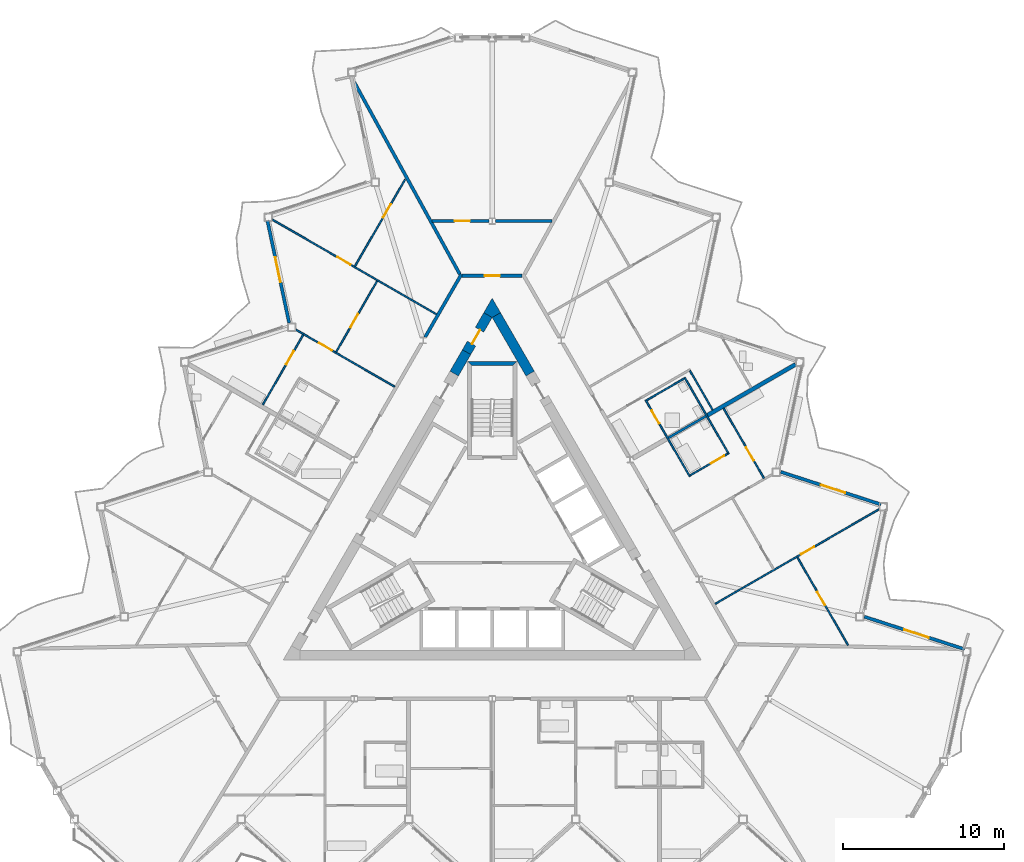
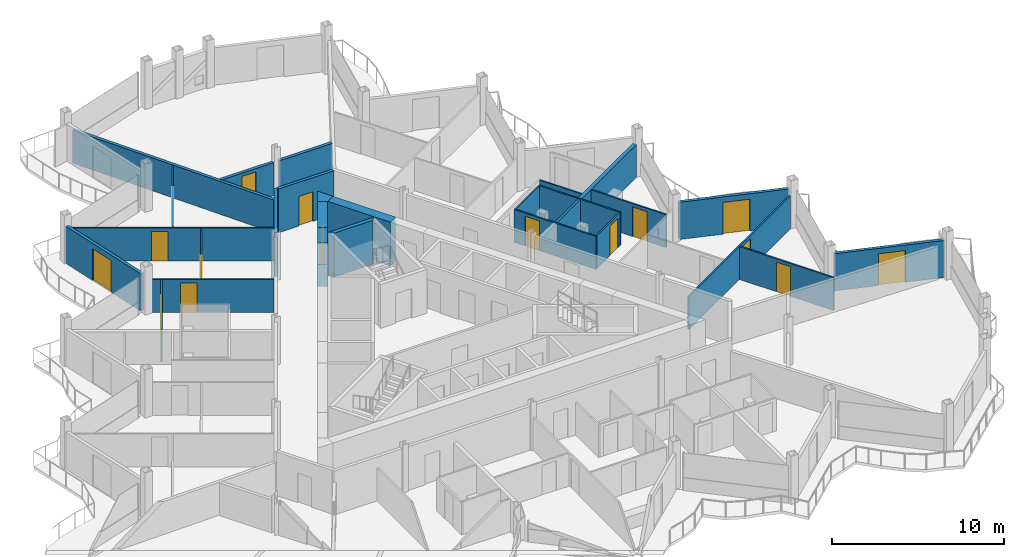
# One storey, part 16 of 25: 28 walls, 16 doors, 16 openings.
"""IFC4 building model written with IfcOpenShell, lengths in metres."""

from ifc_helpers import new_model, si_unit, direction, frame, frame_2d, origin, place, context, subcontext, project, spatial, polyline, rectangle, outline, extrude, material, layer, layer_set, type_object, element, fill, save


model = new_model("IFC4")

# Units and contexts
model_context = context("Model", 3, precision=1e-05, world=origin(), true_north=direction((0.0, 1.0)))
body_context = subcontext(model_context, "Body", "Model", "MODEL_VIEW")
ifc_project = project(units=[si_unit("LENGTHUNIT", "METRE"), si_unit("AREAUNIT", "SQUARE_METRE"), si_unit("VOLUMEUNIT", "CUBIC_METRE"), si_unit("PLANEANGLEUNIT", "RADIAN"), si_unit("MASSUNIT", "GRAM", prefix="KILO")], contexts=[model_context])

# Site, building, storey
site_placement = place(None, origin())
site = spatial("IfcSite", under=ifc_project, at=site_placement, CompositionType="ELEMENT")
building_placement = place(site_placement, origin())
building = spatial("IfcBuilding", under=site, at=building_placement, Name="Cormorant Prow Tower", CompositionType="ELEMENT")
storey_placement = place(building_placement, frame((0.0, 0.0, 395.0)))
storey = spatial("IfcBuildingStorey", under=building, at=storey_placement, Name="L90", CompositionType="ELEMENT", Elevation=395.0)

# Walls
ifc_material_1 = material(Name="Concrete 8000 psi", Category="concrete")
ifc_layer_1 = layer(ifc_material_1, 0.60009765625)
ifc_layer_set_1 = layer_set([ifc_layer_1], Name="Concrete 8000 psi")
wall_type_1 = type_object("IfcWallType", Name="Core shear wall 600", PredefinedType="SHEAR", material=ifc_layer_set_1)
wall_1_placement = place(storey_placement, frame((2.36083984375, 10.322021484375, 0.0), z_axis=(0.0, 0.0, 1.0), x_axis=(-0.500000735859, 0.866024978935, 0.0)))
element("IfcWall", 1, at=wall_1_placement, inside=storey, type_object=wall_type_1, Name="Core wall", PredefinedType="SHEAR", context=body_context, shape_type="SweptSolid", body=[
    extrude(rectangle(XDim=4.2021484375, YDim=0.60009765625, at=frame_2d((2.10107421875, 0.0))), origin(), (0.0, 0.0, 1.0), 3.10009765625),
])
wall_2_placement = place(storey_placement, frame((-1.589599609375, 11.65771484375, 0.0), z_axis=(0.0, 0.0, 1.0), x_axis=(-0.500037594623, -0.866003697431, 0.0)))
element("IfcWall", 2, at=wall_2_placement, inside=storey, type_object=wall_type_1, Name="Core wall", PredefinedType="SHEAR", context=body_context, shape_type="SweptSolid", body=[
    extrude(rectangle(XDim=1.54248046875, YDim=0.60009765625, at=frame_2d((0.771240234375, 0.0))), origin(), (0.0, 0.0, 1.0), 3.10009765625),
])
wall_3_placement = place(storey_placement, origin())
element("IfcWall", 3, at=wall_3_placement, inside=storey, type_object=wall_type_1, Name="Core wall corner", PredefinedType="SHEAR", context=body_context, shape_type="SweptSolid", body=[
    extrude(outline(polyline([(0.0, 13.81103515625), (-0.51953125, 14.111083984375), (0.0, 15.010986328125), (0.51953125, 14.111083984375), (0.0, 13.81103515625)])), origin(), (0.0, 0.0, 1.0), 3.10009765625),
])

# Wall, opening, door
wall_4_placement = place(storey_placement, frame((-0.259765625, 13.961181640625, 0.0), z_axis=(0.0, 0.0, 1.0), x_axis=(-0.49997936161, -0.866037319036, 0.0)))
wall_4 = element("IfcWall", 4, at=wall_4_placement, inside=storey, type_object=wall_type_1, Name="Core wall door panel", PredefinedType="SHEAR", context=body_context, shape_type="SweptSolid", body=[
    extrude(rectangle(XDim=2.65966796875, YDim=0.60009765625, at=frame_2d((1.329833984375, 0.0))), origin(), (0.0, 0.0, 1.0), 3.10009765625),
])
opening_1_placement = place(wall_4_placement, frame((1.050048828125, 0.0, 0.0)))
opening_1 = element("IfcOpeningElement", 5, at=opening_1_placement, cuts=wall_4, Name="Opening L90-C19", PredefinedType="OPENING", context=body_context, shape_type="SweptSolid", body=[
    extrude(rectangle(XDim=1.0, YDim=2.10009765625, at=frame_2d((0.5, 1.050048828125))), frame((0.0, 0.31005859375, 0.0), z_axis=(0.0, -1.0, 0.0), x_axis=(1.0, 0.0, 0.0)), (0.0, 0.0, 1.0), 0.6201171875),
])
ifc_material_2 = material(Name="Painted steel", Category="steel")
door_type_1 = type_object("IfcDoorType", Name="Service door 1000x2100", OperationType="NOTDEFINED", PredefinedType="DOOR", material=ifc_material_2)
door_1_placement = place(opening_1_placement, origin())
door_1 = element("IfcDoor", 6, at=door_1_placement, inside=storey, type_object=door_type_1, Name="Core door, Mechanical riser room", OperationType="SINGLE_SWING_RIGHT", OverallHeight=2.10009765625, OverallWidth=1.0, PredefinedType="DOOR", context=body_context, shape_type="SweptSolid", body=[
    extrude(rectangle(XDim=1.0, YDim=2.10009765625, at=frame_2d((0.5, 1.050048828125))), frame((0.0, 0.05517578125, 0.0), z_axis=(0.0, -1.0, 0.0), x_axis=(1.0, 0.0, 0.0)), (0.0, 0.0, 1.0), 0.050048828125),
])
fill(opening_1, door_1)

# Wall
ifc_material_3 = material(Name="Gypsum board corridor wall")
ifc_layer_2 = layer(ifc_material_3, 0.199951171875)
ifc_layer_set_2 = layer_set([ifc_layer_2], Name="Gypsum board corridor wall")
wall_type_2 = type_object("IfcWallType", Name="Corridor wall 200", PredefinedType="PARTITIONING", material=ifc_layer_set_2)
wall_5_placement = place(storey_placement, frame((-4.175537109375, 12.578857421875, 0.0), z_axis=(0.0, 0.0, 1.0), x_axis=(0.499974648164, 0.866040040179, 0.0)))
element("IfcWall", 7, at=wall_5_placement, inside=storey, type_object=wall_type_2, Name="Corridor wall", PredefinedType="PARTITIONING", context=body_context, shape_type="SweptSolid", body=[
    extrude(rectangle(XDim=4.525146484375, YDim=0.199951171875, at=frame_2d((2.2626953125, 0.0))), origin(), (0.0, 0.0, 1.0), 3.10009765625),
])

# Wall, opening, door
wall_6_placement = place(storey_placement, frame((-1.863037109375, 16.4111328125, 0.0), z_axis=(0.0, 0.0, 1.0), x_axis=(1.0, 0.0, 0.0)))
wall_6 = element("IfcWall", 8, at=wall_6_placement, inside=storey, type_object=wall_type_2, Name="Corridor wall", PredefinedType="PARTITIONING", context=body_context, shape_type="SweptSolid", body=[
    extrude(rectangle(XDim=3.72607421875, YDim=0.199951171875, at=frame_2d((1.863037109375, 0.0))), origin(), (0.0, 0.0, 1.0), 3.10009765625),
])
opening_2_placement = place(wall_6_placement, frame((1.387939453125, 0.0, 0.0)))
opening_2 = element("IfcOpeningElement", 9, at=opening_2_placement, cuts=wall_6, Name="Opening L90-F33", PredefinedType="OPENING", context=body_context, shape_type="SweptSolid", body=[
    extrude(rectangle(XDim=0.949951171875, YDim=2.10009765625, at=frame_2d((0.47509765625, 1.050048828125))), frame((0.0, 0.10986328125, 0.0), z_axis=(0.0, -1.0, 0.0), x_axis=(1.0, 0.0, 0.0)), (0.0, 0.0, 1.0), 0.219970703125),
])
ifc_material_4 = material(Name="Timber door leaf", Category="wood")
door_type_2 = type_object("IfcDoorType", Name="Store door 950x2100", OperationType="NOTDEFINED", PredefinedType="DOOR", material=ifc_material_4)
door_2_placement = place(opening_2_placement, origin())
door_2 = element("IfcDoor", 10, at=door_2_placement, inside=storey, type_object=door_type_2, Name="Bicycle store door", OperationType="SINGLE_SWING_LEFT", OverallHeight=2.10009765625, OverallWidth=0.949951171875, PredefinedType="DOOR", context=body_context, shape_type="SweptSolid", body=[
    extrude(rectangle(XDim=0.949951171875, YDim=2.10009765625, at=frame_2d((0.47509765625, 1.050048828125))), frame((0.0, 0.02490234375, 0.0), z_axis=(0.0, -1.0, 0.0), x_axis=(1.0, 0.0, 0.0)), (0.0, 0.0, 1.0), 0.050048828125),
])
fill(opening_2, door_2)

# Walls
ifc_material_5 = material(Name="Gypsum board demising wall")
ifc_layer_3 = layer(ifc_material_5, 0.199951171875)
ifc_layer_set_3 = layer_set([ifc_layer_3], Name="Gypsum board demising wall")
wall_type_3 = type_object("IfcWallType", Name="Demising wall 200", PredefinedType="PARTITIONING", material=ifc_layer_set_3)
wall_7_placement = place(storey_placement, frame((-8.580810546875, 28.455322265625, 0.0), z_axis=(0.0, 0.0, 1.0), x_axis=(0.481551865547, -0.876417594979, 0.0)))
element("IfcWall", 11, at=wall_7_placement, inside=storey, type_object=wall_type_3, Name="Demising wall", PredefinedType="PARTITIONING", context=body_context, shape_type="SweptSolid", body=[
    extrude(rectangle(XDim=13.642578125, YDim=0.199951171875, at=frame_2d((6.8212890625, 0.0))), origin(), (0.0, 0.0, 1.0), 2.330078125),
])
wall_8_placement = place(storey_placement, frame((0.197021484375, 19.81103515625, 0.0), z_axis=(0.0, 0.0, 1.0), x_axis=(1.0, 0.0, 0.0)))
element("IfcWall", 12, at=wall_8_placement, inside=storey, type_object=wall_type_3, Name="Demising wall", PredefinedType="PARTITIONING", context=body_context, shape_type="SweptSolid", body=[
    extrude(rectangle(XDim=3.5341796875, YDim=0.199951171875, at=frame_2d((1.76708984375, 0.0))), origin(), (0.0, 0.0, 1.0), 2.330078125),
])

# Wall, opening, door
wall_9_placement = place(storey_placement, frame((-3.731201171875, 19.81103515625, 0.0), z_axis=(0.0, 0.0, 1.0), x_axis=(1.0, 0.0, 0.0)))
wall_9 = element("IfcWall", 13, at=wall_9_placement, inside=storey, type_object=wall_type_3, Name="Demising wall", PredefinedType="PARTITIONING", context=body_context, shape_type="SweptSolid", body=[
    extrude(rectangle(XDim=3.5341796875, YDim=0.199951171875, at=frame_2d((1.76708984375, 0.0))), origin(), (0.0, 0.0, 1.0), 2.330078125),
])
opening_3_placement = place(wall_9_placement, frame((1.396240234375, 0.0, 0.0)))
opening_3 = element("IfcOpeningElement", 14, at=opening_3_placement, cuts=wall_9, Name="Opening L90-F34", PredefinedType="OPENING", context=body_context, shape_type="SweptSolid", body=[
    extrude(rectangle(XDim=0.949951171875, YDim=2.10009765625, at=frame_2d((0.47509765625, 1.050048828125))), frame((0.0, 0.10986328125, 0.0), z_axis=(0.0, -1.0, 0.0), x_axis=(1.0, 0.0, 0.0)), (0.0, 0.0, 1.0), 0.219970703125),
])
door_3_placement = place(opening_3_placement, origin())
door_3 = element("IfcDoor", 15, at=door_3_placement, inside=storey, type_object=door_type_2, Name="Refuse room door", OperationType="SINGLE_SWING_RIGHT", OverallHeight=2.10009765625, OverallWidth=0.949951171875, PredefinedType="DOOR", context=body_context, shape_type="SweptSolid", body=[
    extrude(rectangle(XDim=0.949951171875, YDim=2.10009765625, at=frame_2d((0.47509765625, 1.050048828125))), frame((0.0, 0.02490234375, 0.0), z_axis=(0.0, -1.0, 0.0), x_axis=(1.0, 0.0, 0.0)), (0.0, 0.0, 1.0), 0.050048828125),
])
fill(opening_3, door_3)

ifc_material_6 = material(Name="Gypsum board partition")
ifc_layer_4 = layer(ifc_material_6, 0.10009765625)
ifc_layer_set_4 = layer_set([ifc_layer_4], Name="Gypsum board partition")
wall_type_4 = type_object("IfcWallType", Name="Internal partition 100", PredefinedType="PARTITIONING", material=ifc_layer_set_4)
wall_10_placement = place(storey_placement, frame((-13.668701171875, 19.900390625, 0.0), z_axis=(0.0, 0.0, 1.0), x_axis=(0.866032376801, -0.499987922186, 0.0)))
wall_10 = element("IfcWall", 16, at=wall_10_placement, inside=storey, type_object=wall_type_4, Name="Internal partition", PredefinedType="PARTITIONING", context=body_context, shape_type="SweptSolid", body=[
    extrude(rectangle(XDim=11.781982421875, YDim=0.10009765625, at=frame_2d((5.89111328125, 0.0))), origin(), (0.0, 0.0, 1.0), 2.330078125),
])
opening_4_placement = place(wall_10_placement, frame((4.66357421875, 0.0, 0.0)))
opening_4 = element("IfcOpeningElement", 17, at=opening_4_placement, cuts=wall_10, Name="Opening L90-F40", PredefinedType="OPENING", context=body_context, shape_type="SweptSolid", body=[
    extrude(rectangle(XDim=0.949951171875, YDim=2.10009765625, at=frame_2d((0.47509765625, 1.050048828125))), frame((0.0, 0.06005859375, 0.0), z_axis=(0.0, -1.0, 0.0), x_axis=(1.0, 0.0, 0.0)), (0.0, 0.0, 1.0), 0.1201171875),
])
ifc_material_7 = material(Name="Timber door leaf", Category="wood")
door_type_3 = type_object("IfcDoorType", Name="Bathroom door 950x2100", OperationType="NOTDEFINED", PredefinedType="DOOR", material=ifc_material_7)
door_4_placement = place(opening_4_placement, origin())
door_4 = element("IfcDoor", 18, at=door_4_placement, inside=storey, type_object=door_type_3, Name="Bedroom door", OperationType="SINGLE_SWING_RIGHT", OverallHeight=2.10009765625, OverallWidth=0.949951171875, PredefinedType="DOOR", context=body_context, shape_type="SweptSolid", body=[
    extrude(rectangle(XDim=0.949951171875, YDim=2.10009765625, at=frame_2d((0.47509765625, 1.050048828125))), frame((0.0, 0.02490234375, 0.0), z_axis=(0.0, -1.0, 0.0), x_axis=(1.0, 0.0, 0.0)), (0.0, 0.0, 1.0), 0.050048828125),
])
fill(opening_4, door_4)

wall_11_placement = place(storey_placement, frame((13.864990234375, -4.00390625, 0.0), z_axis=(0.0, 0.0, 1.0), x_axis=(0.866023404247, 0.500003463284, 0.0)))
wall_11 = element("IfcWall", 19, at=wall_11_placement, inside=storey, type_object=wall_type_4, Name="Internal partition", PredefinedType="PARTITIONING", context=body_context, shape_type="SweptSolid", body=[
    extrude(rectangle(XDim=11.7822265625, YDim=0.10009765625, at=frame_2d((5.89111328125, 0.0))), origin(), (0.0, 0.0, 1.0), 2.330078125),
])
opening_5_placement = place(wall_11_placement, frame((6.16845703125, 0.0, 0.0)))
opening_5 = element("IfcOpeningElement", 20, at=opening_5_placement, cuts=wall_11, Name="Opening L90-F23", PredefinedType="OPENING", context=body_context, shape_type="SweptSolid", body=[
    extrude(rectangle(XDim=0.949951171875, YDim=2.10009765625, at=frame_2d((0.47509765625, 1.050048828125))), frame((0.0, 0.06005859375, 0.0), z_axis=(0.0, -1.0, 0.0), x_axis=(1.0, 0.0, 0.0)), (0.0, 0.0, 1.0), 0.1201171875),
])
door_5_placement = place(opening_5_placement, origin())
door_5 = element("IfcDoor", 21, at=door_5_placement, inside=storey, type_object=door_type_3, Name="Bedroom door", OperationType="SINGLE_SWING_LEFT", OverallHeight=2.10009765625, OverallWidth=0.949951171875, PredefinedType="DOOR", context=body_context, shape_type="SweptSolid", body=[
    extrude(rectangle(XDim=0.949951171875, YDim=2.10009765625, at=frame_2d((0.47509765625, 1.050048828125))), frame((0.0, 0.02490234375, 0.0), z_axis=(0.0, -1.0, 0.0), x_axis=(1.0, 0.0, 0.0)), (0.0, 0.0, 1.0), 0.050048828125),
])
fill(opening_5, door_5)

wall_12_placement = place(storey_placement, frame((-12.2138671875, 13.05615234375, 0.0), z_axis=(0.0, 0.0, 1.0), x_axis=(0.866018949465, -0.500011179042, 0.0)))
wall_12 = element("IfcWall", 22, at=wall_12_placement, inside=storey, type_object=wall_type_4, Name="Internal partition", PredefinedType="PARTITIONING", context=body_context, shape_type="SweptSolid", body=[
    extrude(rectangle(XDim=7.099853515625, YDim=0.10009765625, at=frame_2d((3.5498046875, 0.0))), origin(), (0.0, 0.0, 1.0), 2.330078125),
])
opening_6_placement = place(wall_12_placement, frame((1.66259765625, 0.0, 0.0)))
opening_6 = element("IfcOpeningElement", 23, at=opening_6_placement, cuts=wall_12, Name="Opening L90-F38", PredefinedType="OPENING", context=body_context, shape_type="SweptSolid", body=[
    extrude(rectangle(XDim=0.949951171875, YDim=2.10009765625, at=frame_2d((0.47509765625, 1.050048828125))), frame((0.0, 0.06005859375, 0.0), z_axis=(0.0, -1.0, 0.0), x_axis=(1.0, 0.0, 0.0)), (0.0, 0.0, 1.0), 0.1201171875),
])
door_6_placement = place(opening_6_placement, origin())
door_6 = element("IfcDoor", 24, at=door_6_placement, inside=storey, type_object=door_type_3, Name="Living room door", OperationType="SINGLE_SWING_RIGHT", OverallHeight=2.10009765625, OverallWidth=0.949951171875, PredefinedType="DOOR", context=body_context, shape_type="SweptSolid", body=[
    extrude(rectangle(XDim=0.949951171875, YDim=2.10009765625, at=frame_2d((0.47509765625, 1.050048828125))), frame((0.0, 0.02490234375, 0.0), z_axis=(0.0, -1.0, 0.0), x_axis=(1.0, 0.0, 0.0)), (0.0, 0.0, 1.0), 0.050048828125),
])
fill(opening_6, door_6)

wall_13_placement = place(storey_placement, frame((18.9833984375, -1.106689453125, 0.0), z_axis=(0.0, 0.0, 1.0), x_axis=(0.500016298831, -0.866015993445, 0.0)))
wall_13 = element("IfcWall", 25, at=wall_13_placement, inside=storey, type_object=wall_type_4, Name="Internal partition", PredefinedType="PARTITIONING", context=body_context, shape_type="SweptSolid", body=[
    extrude(rectangle(XDim=6.304931640625, YDim=0.10009765625, at=frame_2d((3.15234375, 0.0))), origin(), (0.0, 0.0, 1.0), 2.330078125),
])
opening_7_placement = place(wall_13_placement, frame((2.475341796875, 0.0, 0.0)))
opening_7 = element("IfcOpeningElement", 26, at=opening_7_placement, cuts=wall_13, Name="Opening L90-F24", PredefinedType="OPENING", context=body_context, shape_type="SweptSolid", body=[
    extrude(rectangle(XDim=0.949951171875, YDim=2.10009765625, at=frame_2d((0.47509765625, 1.050048828125))), frame((0.0, 0.06005859375, 0.0), z_axis=(0.0, -1.0, 0.0), x_axis=(1.0, 0.0, 0.0)), (0.0, 0.0, 1.0), 0.1201171875),
])
door_7_placement = place(opening_7_placement, origin())
door_7 = element("IfcDoor", 27, at=door_7_placement, inside=storey, type_object=door_type_3, Name="Bedroom door", OperationType="SINGLE_SWING_LEFT", OverallHeight=2.10009765625, OverallWidth=0.949951171875, PredefinedType="DOOR", context=body_context, shape_type="SweptSolid", body=[
    extrude(rectangle(XDim=0.949951171875, YDim=2.10009765625, at=frame_2d((0.47509765625, 1.050048828125))), frame((0.0, 0.02490234375, 0.0), z_axis=(0.0, -1.0, 0.0), x_axis=(1.0, 0.0, 0.0)), (0.0, 0.0, 1.0), 0.050048828125),
])
fill(opening_7, door_7)

wall_14_placement = place(storey_placement, frame((-8.534912109375, 16.994384765625, 0.0), z_axis=(0.0, 0.0, 1.0), x_axis=(0.499975529996, 0.866039531087, 0.0)))
wall_14 = element("IfcWall", 28, at=wall_14_placement, inside=storey, type_object=wall_type_4, Name="Internal partition", PredefinedType="PARTITIONING", context=body_context, shape_type="SweptSolid", body=[
    extrude(rectangle(XDim=6.235107421875, YDim=0.10009765625, at=frame_2d((3.11767578125, 0.0))), origin(), (0.0, 0.0, 1.0), 2.330078125),
])
opening_8_placement = place(wall_14_placement, frame((3.508056640625, 0.0, 0.0)))
opening_8 = element("IfcOpeningElement", 29, at=opening_8_placement, cuts=wall_14, Name="Opening L90-F41", PredefinedType="OPENING", context=body_context, shape_type="SweptSolid", body=[
    extrude(rectangle(XDim=0.949951171875, YDim=2.10009765625, at=frame_2d((0.47509765625, 1.050048828125))), frame((0.0, 0.06005859375, 0.0), z_axis=(0.0, -1.0, 0.0), x_axis=(1.0, 0.0, 0.0)), (0.0, 0.0, 1.0), 0.1201171875),
])
door_8_placement = place(opening_8_placement, origin())
door_8 = element("IfcDoor", 30, at=door_8_placement, inside=storey, type_object=door_type_3, Name="Bedroom door", OperationType="SINGLE_SWING_RIGHT", OverallHeight=2.10009765625, OverallWidth=0.949951171875, PredefinedType="DOOR", context=body_context, shape_type="SweptSolid", body=[
    extrude(rectangle(XDim=0.949951171875, YDim=2.10009765625, at=frame_2d((0.47509765625, 1.050048828125))), frame((0.0, 0.02490234375, 0.0), z_axis=(0.0, -1.0, 0.0), x_axis=(1.0, 0.0, 0.0)), (0.0, 0.0, 1.0), 0.050048828125),
])
fill(opening_8, door_8)

# Wall
wall_15_placement = place(storey_placement, frame((11.966552734375, 10.084228515625, 0.0), z_axis=(0.0, 0.0, 1.0), x_axis=(0.500015767406, -0.866016300277, 0.0)))
element("IfcWall", 31, at=wall_15_placement, inside=storey, type_object=wall_type_4, Name="Internal partition", PredefinedType="PARTITIONING", context=body_context, shape_type="SweptSolid", body=[
    extrude(rectangle(XDim=5.499755859375, YDim=0.10009765625, at=frame_2d((2.75, 0.0))), origin(), (0.0, 0.0, 1.0), 2.330078125),
])

# Wall, opening, door
wall_16_placement = place(storey_placement, frame((9.541748046875, 8.684326171875, 0.0), z_axis=(0.0, 0.0, 1.0), x_axis=(0.499996545922, -0.866027397988, 0.0)))
wall_16 = element("IfcWall", 32, at=wall_16_placement, inside=storey, type_object=wall_type_4, Name="Internal partition", PredefinedType="PARTITIONING", context=body_context, shape_type="SweptSolid", body=[
    extrude(rectangle(XDim=5.5, YDim=0.10009765625, at=frame_2d((2.75, 0.0))), origin(), (0.0, 0.0, 1.0), 2.330078125),
])
opening_9_placement = place(wall_16_placement, frame((0.75634765625, 0.0, 0.0)))
opening_9 = element("IfcOpeningElement", 33, at=opening_9_placement, cuts=wall_16, Name="Opening L90-F32", PredefinedType="OPENING", context=body_context, shape_type="SweptSolid", body=[
    extrude(rectangle(XDim=0.949951171875, YDim=2.10009765625, at=frame_2d((0.47509765625, 1.050048828125))), frame((0.0, 0.06005859375, 0.0), z_axis=(0.0, -1.0, 0.0), x_axis=(1.0, 0.0, 0.0)), (0.0, 0.0, 1.0), 0.1201171875),
])
door_9_placement = place(opening_9_placement, origin())
door_9 = element("IfcDoor", 34, at=door_9_placement, inside=storey, type_object=door_type_3, Name="Kitchen door", OperationType="SINGLE_SWING_LEFT", OverallHeight=2.10009765625, OverallWidth=0.949951171875, PredefinedType="DOOR", context=body_context, shape_type="SweptSolid", body=[
    extrude(rectangle(XDim=0.949951171875, YDim=2.10009765625, at=frame_2d((0.47509765625, 1.050048828125))), frame((0.0, 0.02490234375, 0.0), z_axis=(0.0, -1.0, 0.0), x_axis=(1.0, 0.0, 0.0)), (0.0, 0.0, 1.0), 0.050048828125),
])
fill(opening_9, door_9)

wall_17_placement = place(storey_placement, frame((14.390380859375, 8.163818359375, 0.0), z_axis=(0.0, 0.0, 1.0), x_axis=(0.499990214365, -0.86603105345, 0.0)))
wall_17 = element("IfcWall", 35, at=wall_17_placement, inside=storey, type_object=wall_type_4, Name="Internal partition", PredefinedType="PARTITIONING", context=body_context, shape_type="SweptSolid", body=[
    extrude(rectangle(XDim=5.02490234375, YDim=0.10009765625, at=frame_2d((2.512451171875, 0.0))), origin(), (0.0, 0.0, 1.0), 2.330078125),
])
opening_10_placement = place(wall_17_placement, frame((2.803466796875, 0.0, 0.0)))
opening_10 = element("IfcOpeningElement", 36, at=opening_10_placement, cuts=wall_17, Name="Opening L90-F20", PredefinedType="OPENING", context=body_context, shape_type="SweptSolid", body=[
    extrude(rectangle(XDim=0.949951171875, YDim=2.10009765625, at=frame_2d((0.47509765625, 1.050048828125))), frame((0.0, 0.06005859375, 0.0), z_axis=(0.0, -1.0, 0.0), x_axis=(1.0, 0.0, 0.0)), (0.0, 0.0, 1.0), 0.1201171875),
])
door_10_placement = place(opening_10_placement, origin())
door_10 = element("IfcDoor", 37, at=door_10_placement, inside=storey, type_object=door_type_3, Name="Living room door", OperationType="SINGLE_SWING_RIGHT", OverallHeight=2.10009765625, OverallWidth=0.949951171875, PredefinedType="DOOR", context=body_context, shape_type="SweptSolid", body=[
    extrude(rectangle(XDim=0.949951171875, YDim=2.10009765625, at=frame_2d((0.47509765625, 1.050048828125))), frame((0.0, 0.02490234375, 0.0), z_axis=(0.0, -1.0, 0.0), x_axis=(1.0, 0.0, 0.0)), (0.0, 0.0, 1.0), 0.050048828125),
])
fill(opening_10, door_10)

wall_18_placement = place(storey_placement, frame((-9.704345703125, 11.664794921875, 0.0), z_axis=(0.0, 0.0, 1.0), x_axis=(0.499984882974, 0.866034131428, 0.0)))
wall_18 = element("IfcWall", 38, at=wall_18_placement, inside=storey, type_object=wall_type_4, Name="Internal partition", PredefinedType="PARTITIONING", context=body_context, shape_type="SweptSolid", body=[
    extrude(rectangle(XDim=5.100341796875, YDim=0.10009765625, at=frame_2d((2.55029296875, 0.0))), origin(), (0.0, 0.0, 1.0), 2.330078125),
])
opening_11_placement = place(wall_18_placement, frame((1.770751953125, 0.0, 0.0)))
opening_11 = element("IfcOpeningElement", 39, at=opening_11_placement, cuts=wall_18, Name="Opening L90-F39", PredefinedType="OPENING", context=body_context, shape_type="SweptSolid", body=[
    extrude(rectangle(XDim=0.949951171875, YDim=2.10009765625, at=frame_2d((0.47509765625, 1.050048828125))), frame((0.0, 0.06005859375, 0.0), z_axis=(0.0, -1.0, 0.0), x_axis=(1.0, 0.0, 0.0)), (0.0, 0.0, 1.0), 0.1201171875),
])
door_11_placement = place(opening_11_placement, origin())
door_11 = element("IfcDoor", 40, at=door_11_placement, inside=storey, type_object=door_type_3, Name="Bedroom door", OperationType="SINGLE_SWING_LEFT", OverallHeight=2.10009765625, OverallWidth=0.949951171875, PredefinedType="DOOR", context=body_context, shape_type="SweptSolid", body=[
    extrude(rectangle(XDim=0.949951171875, YDim=2.10009765625, at=frame_2d((0.47509765625, 1.050048828125))), frame((0.0, 0.02490234375, 0.0), z_axis=(0.0, -1.0, 0.0), x_axis=(1.0, 0.0, 0.0)), (0.0, 0.0, 1.0), 0.050048828125),
])
fill(opening_11, door_11)

wall_19_placement = place(storey_placement, frame((-14.265380859375, 8.38037109375, 0.0), z_axis=(0.0, 0.0, 1.0), x_axis=(0.500026652407, 0.866010015463, 0.0)))
wall_19 = element("IfcWall", 41, at=wall_19_placement, inside=storey, type_object=wall_type_4, Name="Internal partition", PredefinedType="PARTITIONING", context=body_context, shape_type="SweptSolid", body=[
    extrude(rectangle(XDim=5.025146484375, YDim=0.10009765625, at=frame_2d((2.5126953125, 0.0))), origin(), (0.0, 0.0, 1.0), 2.330078125),
])
opening_12_placement = place(wall_19_placement, frame((2.90576171875, 0.0, 0.0)))
opening_12 = element("IfcOpeningElement", 42, at=opening_12_placement, cuts=wall_19, Name="Opening L90-F37", PredefinedType="OPENING", context=body_context, shape_type="SweptSolid", body=[
    extrude(rectangle(XDim=0.949951171875, YDim=2.10009765625, at=frame_2d((0.47509765625, 1.050048828125))), frame((0.0, 0.06005859375, 0.0), z_axis=(0.0, -1.0, 0.0), x_axis=(1.0, 0.0, 0.0)), (0.0, 0.0, 1.0), 0.1201171875),
])
door_12_placement = place(opening_12_placement, origin())
door_12 = element("IfcDoor", 43, at=door_12_placement, inside=storey, type_object=door_type_3, Name="Living room door", OperationType="SINGLE_SWING_RIGHT", OverallHeight=2.10009765625, OverallWidth=0.949951171875, PredefinedType="DOOR", context=body_context, shape_type="SweptSolid", body=[
    extrude(rectangle(XDim=0.949951171875, YDim=2.10009765625, at=frame_2d((0.47509765625, 1.050048828125))), frame((0.0, 0.02490234375, 0.0), z_axis=(0.0, -1.0, 0.0), x_axis=(1.0, 0.0, 0.0)), (0.0, 0.0, 1.0), 0.050048828125),
])
fill(opening_12, door_12)

# Walls
wall_20_placement = place(storey_placement, frame((12.299560546875, 10.507568359375, 0.0), z_axis=(0.0, 0.0, 1.0), x_axis=(0.500024172624, -0.866011447264, 0.0)))
element("IfcWall", 44, at=wall_20_placement, inside=storey, type_object=wall_type_4, Name="Internal partition", PredefinedType="PARTITIONING", context=body_context, shape_type="SweptSolid", body=[
    extrude(rectangle(XDim=2.824951171875, YDim=0.10009765625, at=frame_2d((1.41259765625, 0.0))), origin(), (0.0, 0.0, 1.0), 2.330078125),
])
wall_21_placement = place(storey_placement, frame((9.610107421875, 8.666015625, 0.0), z_axis=(0.0, 0.0, 1.0), x_axis=(0.86599734893, 0.500048589285, 0.0)))
element("IfcWall", 45, at=wall_21_placement, inside=storey, type_object=wall_type_4, Name="Internal partition", PredefinedType="PARTITIONING", context=body_context, shape_type="SweptSolid", body=[
    extrude(rectangle(XDim=2.699951171875, YDim=0.10009765625, at=frame_2d((1.35009765625, 0.0))), origin(), (0.0, 0.0, 1.0), 2.330078125),
])

# Wall, opening, door
wall_22_placement = place(storey_placement, frame((12.31005859375, 3.989501953125, 0.0), z_axis=(0.0, 0.0, 1.0), x_axis=(0.86599734893, 0.500048589285, 0.0)))
wall_22 = element("IfcWall", 46, at=wall_22_placement, inside=storey, type_object=wall_type_4, Name="Internal partition", PredefinedType="PARTITIONING", context=body_context, shape_type="SweptSolid", body=[
    extrude(rectangle(XDim=2.699951171875, YDim=0.10009765625, at=frame_2d((1.35009765625, 0.0))), origin(), (0.0, 0.0, 1.0), 2.330078125),
])
opening_13_placement = place(wall_22_placement, frame((1.5, 0.0, 0.0)))
opening_13 = element("IfcOpeningElement", 47, at=opening_13_placement, cuts=wall_22, Name="Opening L90-F19", PredefinedType="OPENING", context=body_context, shape_type="SweptSolid", body=[
    extrude(rectangle(XDim=0.949951171875, YDim=2.10009765625, at=frame_2d((0.47509765625, 1.050048828125))), frame((0.0, 0.06005859375, 0.0), z_axis=(0.0, -1.0, 0.0), x_axis=(1.0, 0.0, 0.0)), (0.0, 0.0, 1.0), 0.1201171875),
])
door_13_placement = place(opening_13_placement, origin())
door_13 = element("IfcDoor", 48, at=door_13_placement, inside=storey, type_object=door_type_3, Name="Living room door", OperationType="SINGLE_SWING_RIGHT", OverallHeight=2.10009765625, OverallWidth=0.949951171875, PredefinedType="DOOR", context=body_context, shape_type="SweptSolid", body=[
    extrude(rectangle(XDim=0.949951171875, YDim=2.10009765625, at=frame_2d((0.47509765625, 1.050048828125))), frame((0.0, 0.02490234375, 0.0), z_axis=(0.0, -1.0, 0.0), x_axis=(1.0, 0.0, 0.0)), (0.0, 0.0, 1.0), 0.050048828125),
])
fill(opening_13, door_13)

# Walls
ifc_material_8 = material(Name="Concrete 8000 psi", Category="concrete")
ifc_layer_5 = layer(ifc_material_8, 0.25)
ifc_layer_set_5 = layer_set([ifc_layer_5], Name="Concrete 8000 psi")
wall_type_5 = type_object("IfcWallType", Name="Stair wall 250", PredefinedType="SHEAR", material=ifc_layer_set_5)
wall_23_placement = place(storey_placement, origin())
element("IfcWall", 49, at=wall_23_placement, inside=storey, type_object=wall_type_5, Name="Stair ST3 enclosure wall (end)", PredefinedType="SHEAR", context=body_context, shape_type="SweptSolid", body=[
    extrude(outline(polyline([(1.5439453125, 11.0869140625), (-1.5439453125, 11.0869140625), (-1.2939453125, 10.8369140625), (1.2939453125, 10.8369140625), (1.5439453125, 11.0869140625)])), origin(), (0.0, 0.0, 1.0), 3.10009765625),
])
ifc_material_9 = material(Name="Acoustic gypsum party wall")
ifc_layer_6 = layer(ifc_material_9, 0.25)
ifc_layer_set_6 = layer_set([ifc_layer_6], Name="Acoustic gypsum party wall")
wall_type_6 = type_object("IfcWallType", Name="Suite party wall 250", PredefinedType="PARTITIONING", material=ifc_layer_set_6)
wall_24_placement = place(storey_placement, frame((13.385009765625, 7.727783203125, 0.0), z_axis=(0.0, 0.0, 1.0), x_axis=(0.866023139795, 0.500003921324, 0.0)))
element("IfcWall", 50, at=wall_24_placement, inside=storey, type_object=wall_type_6, Name="Suite party wall", PredefinedType="PARTITIONING", context=body_context, shape_type="SweptSolid", body=[
    extrude(rectangle(XDim=6.33203125, YDim=0.25, at=frame_2d((3.166015625, 0.0))), origin(), (0.0, 0.0, 1.0), 2.330078125),
])

# Wall, opening, door
ifc_material_10 = material(Name="Terracotta", Category="masonry")
ifc_layer_7 = layer(ifc_material_10, 0.199951171875)
ifc_layer_set_7 = layer_set([ifc_layer_7], Name="Terracotta")
wall_type_7 = type_object("IfcWallType", Name="Terracotta jamb wall 200", PredefinedType="SOLIDWALL", material=ifc_layer_set_7)
wall_25_placement = place(storey_placement, frame((29.3740234375, -6.82177734375, 0.0), z_axis=(0.0, 0.0, 1.0), x_axis=(-0.951061473407, 0.309001737536, 0.0)))
wall_25 = element("IfcWall", 51, at=wall_25_placement, inside=storey, type_object=wall_type_7, Name="Terracotta jamb wall ENE01", PredefinedType="SOLIDWALL", context=body_context, shape_type="SweptSolid", body=[
    extrude(rectangle(XDim=6.5458984375, YDim=0.199951171875, at=frame_2d((3.27294921875, 0.0))), origin(), (0.0, 0.0, 1.0), 2.6337890625),
])
opening_14_placement = place(wall_25_placement, frame((2.332763671875, 0.0, 0.0)))
opening_14 = element("IfcOpeningElement", 52, at=opening_14_placement, cuts=wall_25, Name="Opening ED90.06", PredefinedType="OPENING", context=body_context, shape_type="SweptSolid", body=[
    extrude(rectangle(XDim=1.60009765625, YDim=2.25, at=frame_2d((0.800048828125, 1.125))), frame((0.0, 0.10986328125, 0.0), z_axis=(0.0, -1.0, 0.0), x_axis=(1.0, 0.0, 0.0)), (0.0, 0.0, 1.0), 0.219970703125),
])
ifc_material_11 = material(Name="Aluminium 6063-T6", Category="aluminium")
door_type_4 = type_object("IfcDoorType", Name="Balcony door 1600x2250", OperationType="DOUBLE_DOOR_SINGLE_SWING", PredefinedType="DOOR", material=ifc_material_11)
door_14_placement = place(opening_14_placement, origin())
door_14 = element("IfcDoor", 53, at=door_14_placement, inside=storey, type_object=door_type_4, Name="Balcony door ENE01 ED90.06", OperationType="DOUBLE_DOOR_SINGLE_SWING", OverallHeight=2.25, OverallWidth=1.60009765625, PredefinedType="DOOR", context=body_context, shape_type="SweptSolid", body=[
    extrude(rectangle(XDim=1.60009765625, YDim=2.25, at=frame_2d((0.800048828125, 1.125))), frame((0.0, 0.02490234375, 0.0), z_axis=(0.0, -1.0, 0.0), x_axis=(1.0, 0.0, 0.0)), (0.0, 0.0, 1.0), 0.050048828125),
])
fill(opening_14, door_14)

wall_26_placement = place(storey_placement, frame((24.174072265625, 2.184814453125, 0.0), z_axis=(0.0, 0.0, 1.0), x_axis=(-0.951061473407, 0.309001737536, 0.0)))
wall_26 = element("IfcWall", 54, at=wall_26_placement, inside=storey, type_object=wall_type_7, Name="Terracotta jamb wall ENE03", PredefinedType="SOLIDWALL", context=body_context, shape_type="SweptSolid", body=[
    extrude(rectangle(XDim=6.5458984375, YDim=0.199951171875, at=frame_2d((3.27294921875, 0.0))), origin(), (0.0, 0.0, 1.0), 2.6337890625),
])
opening_15_placement = place(wall_26_placement, frame((2.332763671875, 0.0, 0.0)))
opening_15 = element("IfcOpeningElement", 55, at=opening_15_placement, cuts=wall_26, Name="Opening ED90.07", PredefinedType="OPENING", context=body_context, shape_type="SweptSolid", body=[
    extrude(rectangle(XDim=1.60009765625, YDim=2.25, at=frame_2d((0.800048828125, 1.125))), frame((0.0, 0.10986328125, 0.0), z_axis=(0.0, -1.0, 0.0), x_axis=(1.0, 0.0, 0.0)), (0.0, 0.0, 1.0), 0.219970703125),
])
door_15_placement = place(opening_15_placement, origin())
door_15 = element("IfcDoor", 56, at=door_15_placement, inside=storey, type_object=door_type_4, Name="Balcony door ENE03 ED90.07", OperationType="DOUBLE_DOOR_SINGLE_SWING", OverallHeight=2.25, OverallWidth=1.60009765625, PredefinedType="DOOR", context=body_context, shape_type="SweptSolid", body=[
    extrude(rectangle(XDim=1.60009765625, YDim=2.25, at=frame_2d((0.800048828125, 1.125))), frame((0.0, 0.02490234375, 0.0), z_axis=(0.0, -1.0, 0.0), x_axis=(1.0, 0.0, 0.0)), (0.0, 0.0, 1.0), 0.050048828125),
])
fill(opening_15, door_15)

wall_27_placement = place(storey_placement, frame((-13.97900390625, 19.843017578125, 0.0), z_axis=(0.0, 0.0, 1.0), x_axis=(0.207910765171, -0.978147797486, 0.0)))
wall_27 = element("IfcWall", 57, at=wall_27_placement, inside=storey, type_object=wall_type_7, Name="Terracotta jamb wall WNW03", PredefinedType="SOLIDWALL", context=body_context, shape_type="SweptSolid", body=[
    extrude(rectangle(XDim=6.512451171875, YDim=0.199951171875, at=frame_2d((3.25634765625, 0.0))), origin(), (0.0, 0.0, 1.0), 2.6337890625),
])
opening_16_placement = place(wall_27_placement, frame((2.332763671875, 0.0, 0.0)))
opening_16 = element("IfcOpeningElement", 58, at=opening_16_placement, cuts=wall_27, Name="Opening ED90.12", PredefinedType="OPENING", context=body_context, shape_type="SweptSolid", body=[
    extrude(rectangle(XDim=1.60009765625, YDim=2.25, at=frame_2d((0.800048828125, 1.125))), frame((0.0, 0.10986328125, 0.0), z_axis=(0.0, -1.0, 0.0), x_axis=(1.0, 0.0, 0.0)), (0.0, 0.0, 1.0), 0.219970703125),
])
door_16_placement = place(opening_16_placement, origin())
door_16 = element("IfcDoor", 59, at=door_16_placement, inside=storey, type_object=door_type_4, Name="Balcony door WNW03 ED90.12", OperationType="DOUBLE_DOOR_SINGLE_SWING", OverallHeight=2.25, OverallWidth=1.60009765625, PredefinedType="DOOR", context=body_context, shape_type="SweptSolid", body=[
    extrude(rectangle(XDim=1.60009765625, YDim=2.25, at=frame_2d((0.800048828125, 1.125))), frame((0.0, 0.02490234375, 0.0), z_axis=(0.0, -1.0, 0.0), x_axis=(1.0, 0.0, 0.0)), (0.0, 0.0, 1.0), 0.050048828125),
])
fill(opening_16, door_16)

# Wall
ifc_material_12 = material(Name="Plasterboard wet wall with pipe chase")
ifc_layer_8 = layer(ifc_material_12, 0.14990234375)
ifc_layer_set_8 = layer_set([ifc_layer_8], Name="Plasterboard wet wall with pipe chase")
wall_type_8 = type_object("IfcWallType", Name="Wet wall 150", PredefinedType="PLUMBINGWALL", material=ifc_layer_set_8)
wall_28_placement = place(storey_placement, frame((10.9599609375, 6.327880859375, 0.0), z_axis=(0.0, 0.0, 1.0), x_axis=(0.866059108428, 0.4999416173, 0.0)))
element("IfcWall", 60, at=wall_28_placement, inside=storey, type_object=wall_type_8, Name="Wet wall", PredefinedType="PLUMBINGWALL", context=body_context, shape_type="SweptSolid", body=[
    extrude(rectangle(XDim=2.699951171875, YDim=0.14990234375, at=frame_2d((1.35009765625, 0.0))), origin(), (0.0, 0.0, 1.0), 2.330078125),
])

save(model, "model.ifc")
